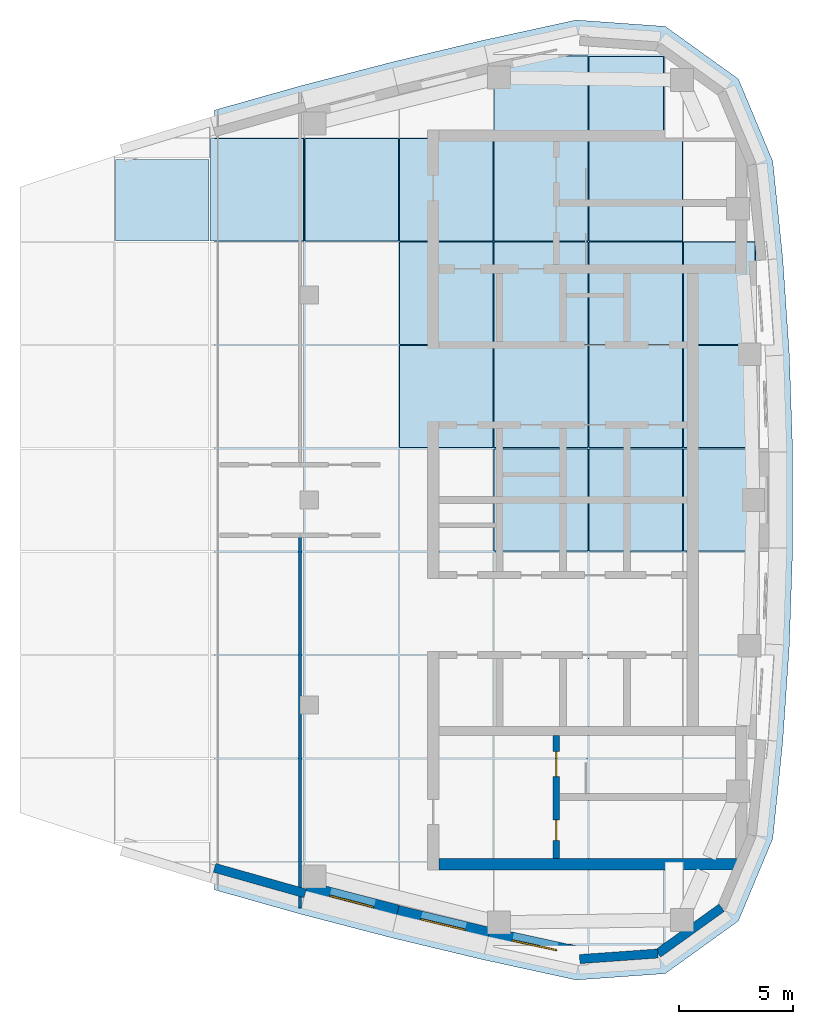
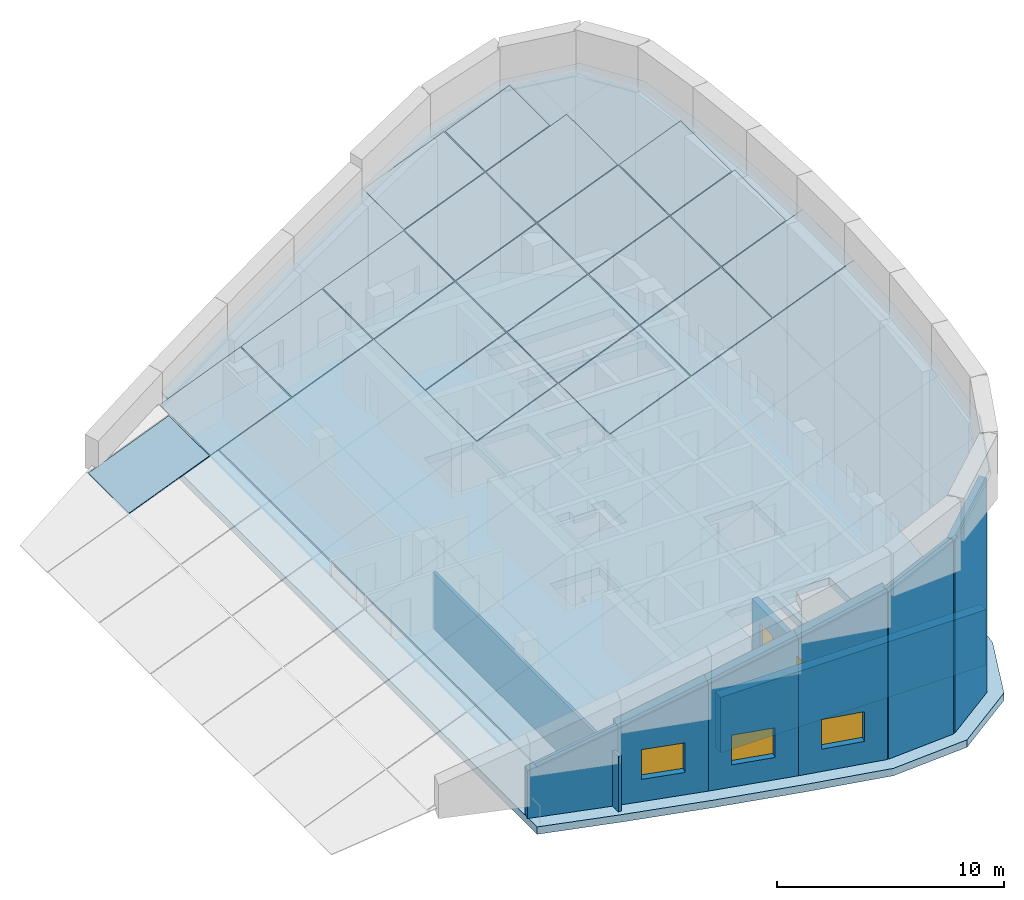
# One storey, part 2 of 6: 19 plates, 9 walls, 3 windows, 2 doors, 2 slabs, 9 openings, 7 elements without a shape of their own.
"""IFC4 building model written with IfcOpenShell, lengths in metres."""

from ifc_helpers import new_model, si_unit, direction, frame, frame_2d, origin, place, context, subcontext, project, spatial, polyline, rectangle, outline, extrude, material, layer, layer_set, type_object, element, fill, aggregate, save


model = new_model("IFC4")

# Units and contexts
model_context = context("Model", 3, precision=1e-05, world=origin(), true_north=direction((0.0, 1.0)))
body_context = subcontext(model_context, "Body", "Model", "MODEL_VIEW")
ifc_project = project(units=[si_unit("LENGTHUNIT", "METRE"), si_unit("AREAUNIT", "SQUARE_METRE"), si_unit("VOLUMEUNIT", "CUBIC_METRE"), si_unit("PLANEANGLEUNIT", "RADIAN"), si_unit("MASSUNIT", "GRAM", prefix="KILO")], contexts=[model_context])

# Site, building, storey
site_placement = place(None, origin())
site = spatial("IfcSite", under=ifc_project, at=site_placement, CompositionType="ELEMENT")
building_placement = place(site_placement, origin())
building = spatial("IfcBuilding", under=site, at=building_placement, Name="Ostrand Prow Hotel Tower", CompositionType="ELEMENT")
storey_placement = place(building_placement, frame((0.0, 0.0, 337.39990234375)))
storey = spatial("IfcBuildingStorey", under=building, at=storey_placement, Name="C7", CompositionType="ELEMENT", Elevation=337.39990234375)

# Curtain wall, plate
ifc_material_1 = material(Name="Insulated glass in bronze anodised frame", Category="glass")
ifc_layer_1 = layer(ifc_material_1, 0.0400390625)
ifc_layer_set_1 = layer_set([ifc_layer_1], Name="Insulated glass in bronze anodised frame")
curtain_wall_type = type_object("IfcCurtainWallType", Name="Crown slanted glazing system", PredefinedType="NOTDEFINED", material=ifc_layer_set_1)
curtain_wall_1_placement = place(storey_placement, origin())
curtain_wall_1 = element("IfcCurtainWall", 1, at=curtain_wall_1_placement, inside=storey, type_object=curtain_wall_type, Name="CW5 run 10", PredefinedType="NOTDEFINED")
ifc_material_2 = material(Name="Ceramic-fritted glass", Category="glass")
ifc_layer_2 = layer(ifc_material_2, 0.0400390625)
ifc_layer_set_2 = layer_set([ifc_layer_2], Name="Ceramic-fritted glass")
plate_type_1 = type_object("IfcPlateType", Name="Crown glazing panel 40 mm", PredefinedType="CURTAIN_PANEL", material=ifc_layer_set_2)
plate_1_placement = place(storey_placement, frame((44.80517578125, 11.37841796875, 4.50146484375), z_axis=(-0.374597809374, 0.0, 0.927187403502), x_axis=(0.927187403502, 0.0, 0.374597809374)))
plate_1 = element("IfcPlate", 2, at=plate_1_placement, type_object=plate_type_1, Name="CW5 panel 10.8", PredefinedType="CURTAIN_PANEL", context=body_context, shape_type="SweptSolid", body=[
    extrude(outline(polyline([(0.0, 0.0), (4.4331399962686415, 0.0), (4.4331399962686415, 4.491210937500001), (0.0, 4.491210937500001), (0.0, 0.0)])), origin(), (0.0, 0.0, -1.0), 0.0400390625),
])
aggregate(curtain_wall_1, [plate_1])

# Curtain wall, plates
curtain_wall_2_placement = place(storey_placement, origin())
curtain_wall_2 = element("IfcCurtainWall", 3, at=curtain_wall_2_placement, inside=storey, type_object=curtain_wall_type, Name="CW5 run 11", PredefinedType="NOTDEFINED")
plate_2_placement = place(storey_placement, frame((48.965576171875, 6.8369140625, 6.18212890625), z_axis=(-0.374597809374, 0.0, 0.927187403502), x_axis=(0.927187403502, 0.0, 0.374597809374)))
plate_2 = element("IfcPlate", 4, at=plate_2_placement, type_object=plate_type_1, Name="CW5 panel 11.7", PredefinedType="CURTAIN_PANEL", context=body_context, shape_type="SweptSolid", body=[
    extrude(outline(polyline([(0.0, 0.0), (4.4331399962686415, 0.0), (4.4331399962686415, 4.491455078125001), (0.0, 4.491455078125001), (0.0, 0.0)])), origin(), (0.0, 0.0, -1.0), 0.0400390625),
])
plate_3_placement = place(storey_placement, frame((48.965576171875, 11.37841796875, 6.18212890625), z_axis=(-0.374597809374, 0.0, 0.927187403502), x_axis=(0.927187403502, 0.0, 0.374597809374)))
plate_3 = element("IfcPlate", 5, at=plate_3_placement, type_object=plate_type_1, Name="CW5 panel 11.8", PredefinedType="CURTAIN_PANEL", context=body_context, shape_type="SweptSolid", body=[
    extrude(outline(polyline([(0.0, 0.0), (4.4331399962686415, 0.0), (4.4331399962686415, 4.491210937500001), (0.0, 4.491210937500001), (0.0, 0.0)])), origin(), (0.0, 0.0, -1.0), 0.0400390625),
])

curtain_wall_3_placement = place(storey_placement, origin())
curtain_wall_3 = element("IfcCurtainWall", 6, at=curtain_wall_3_placement, inside=storey, type_object=curtain_wall_type, Name="CW5 run 12", PredefinedType="NOTDEFINED")
plate_4_placement = place(storey_placement, frame((53.1259765625, -2.24560546875, 7.863037109375), z_axis=(-0.37455046405, 0.0, 0.927206530326), x_axis=(0.927206530326, 0.0, 0.37455046405)))
plate_4 = element("IfcPlate", 7, at=plate_4_placement, type_object=plate_type_1, Name="CW5 panel 12.5", PredefinedType="CURTAIN_PANEL", context=body_context, shape_type="SweptSolid", body=[
    extrude(outline(polyline([(0.0, 0.0), (4.433048547504735, 0.0), (4.433048547504735, 4.4912109375), (0.0, 4.4912109375), (0.0, 0.0)])), origin(), (0.0, 0.0, -1.0), 0.0400390625),
])
plate_5_placement = place(storey_placement, frame((53.1259765625, 11.37841796875, 7.863037109375), z_axis=(-0.37455046405, 0.0, 0.927206530326), x_axis=(0.927206530326, 0.0, 0.37455046405)))
plate_5 = element("IfcPlate", 8, at=plate_5_placement, type_object=plate_type_1, Name="CW5 panel 12.8", PredefinedType="CURTAIN_PANEL", context=body_context, shape_type="SweptSolid", body=[
    extrude(outline(polyline([(0.0, 0.0), (4.433048547504735, 0.0), (4.433048547504735, 4.4912109375), (0.0, 4.4912109375), (0.0, 0.0)])), origin(), (0.0, 0.0, -1.0), 0.0400390625),
])
plate_6_placement = place(storey_placement, frame((57.236328125, 15.919677734375, 9.5234375), z_axis=(-0.37455046405, 0.0, 0.927206530326), x_axis=(0.0, 1.0, 0.0)))
plate_6 = element("IfcPlate", 9, at=plate_6_placement, type_object=plate_type_1, Name="CW5 panel 12.9", PredefinedType="CURTAIN_PANEL", context=body_context, shape_type="SweptSolid", body=[
    extrude(outline(polyline([(0.0, 0.0), (3.5830078125, 0.0), (3.5830078125, 4.433048547504735), (0.0, 4.433048547504735), (0.0, 0.0)])), origin(), (0.0, 0.0, -1.0), 0.0400390625),
])

curtain_wall_4_placement = place(storey_placement, origin())
curtain_wall_4 = element("IfcCurtainWall", 10, at=curtain_wall_4_placement, inside=storey, type_object=curtain_wall_type, Name="CW5 run 13", PredefinedType="NOTDEFINED")
plate_7_placement = place(storey_placement, frame((57.286376953125, -2.24560546875, 9.543701171875), z_axis=(-0.37461693791, 0.0, 0.927179675053), x_axis=(0.927179675053, 0.0, 0.37461693791)))
plate_7 = element("IfcPlate", 11, at=plate_7_placement, type_object=plate_type_1, Name="CW5 panel 13.5", PredefinedType="CURTAIN_PANEL", context=body_context, shape_type="SweptSolid", body=[
    extrude(outline(polyline([(0.0, 0.0), (4.432913633099848, 0.0), (4.432913633099848, 4.4912109375), (0.0, 4.4912109375), (0.0, 0.0)])), origin(), (0.0, 0.0, -1.0), 0.0400390625),
])
plate_8_placement = place(storey_placement, frame((57.286376953125, 2.295654296875, 9.543701171875), z_axis=(-0.37461693791, 0.0, 0.927179675053), x_axis=(0.927179675053, 0.0, 0.37461693791)))
plate_8 = element("IfcPlate", 12, at=plate_8_placement, type_object=plate_type_1, Name="CW5 panel 13.6", PredefinedType="CURTAIN_PANEL", context=body_context, shape_type="SweptSolid", body=[
    extrude(outline(polyline([(0.0, 0.0), (4.432913633099848, 0.0), (4.432913633099848, 4.491455078125001), (0.0, 4.491455078125001), (0.0, 0.0)])), origin(), (0.0, 0.0, -1.0), 0.0400390625),
])
plate_9_placement = place(storey_placement, frame((60.564453125, 15.919677734375, 10.8681640625), z_axis=(-0.374614896272, 0.0, 0.927180499952), x_axis=(0.0, 1.0, 0.0)))
plate_9 = element("IfcPlate", 13, at=plate_9_placement, type_object=plate_type_1, Name="CW5 panel 13.9", PredefinedType="CURTAIN_PANEL", context=body_context, shape_type="SweptSolid", body=[
    extrude(outline(polyline([(0.0, 0.0), (3.55810546875, 0.0), (3.55810546875, 3.5355318323071834), (0.0, 3.5355318323071834), (0.0, 0.0)])), origin(), (0.0, 0.0, -1.0), 0.0400390625),
])

curtain_wall_5_placement = place(storey_placement, origin())
curtain_wall_5 = element("IfcCurtainWall", 14, at=curtain_wall_5_placement, inside=storey, type_object=curtain_wall_type, Name="CW5 run 14", PredefinedType="NOTDEFINED")
plate_10_placement = place(storey_placement, frame((65.552490234375, -2.24560546875, 12.88330078125), z_axis=(-0.374550842386, 0.0, 0.927206377495), x_axis=(0.033015602396, 0.999365848007, 0.013336860045)))
plate_10 = element("IfcPlate", 15, at=plate_10_placement, type_object=plate_type_1, Name="CW5 panel 14.5", PredefinedType="CURTAIN_PANEL", context=body_context, shape_type="SweptSolid", body=[
    extrude(outline(polyline([(0.0, 0.0), (0.1324081856648408, -1.0842021724855044e-19), (4.3562904026315445, 0.1504977860258631), (4.488362827132596, 0.15992128418044005), (4.3306804471908205, 4.585446856035653), (-0.1576823799417751, 4.4255255718552124), (0.0, 0.0)])), origin(), (0.0, 0.0, -1.0), 0.0400390625),
])
plate_11_placement = place(storey_placement, frame((64.720703125, 2.295654296875, 12.547119140625), z_axis=(-0.374523635734, 0.0, 0.927217367329), x_axis=(0.0, 1.0, 0.0)))
plate_11 = element("IfcPlate", 16, at=plate_11_placement, type_object=plate_type_1, Name="CW5 panel 14.6", PredefinedType="CURTAIN_PANEL", context=body_context, shape_type="SweptSolid", body=[
    extrude(outline(polyline([(0.0, 0.0), (4.491455078125, 0.0), (4.491455078125, 3.531178380864444), (0.0, 3.531178380864444), (0.0, 0.0)])), origin(), (0.0, 0.0, -1.0), 0.0400390625),
])
plate_12_placement = place(storey_placement, frame((64.58349609375, 6.8369140625, 12.49169921875), z_axis=(-0.374523899421, 0.0, 0.92721726082), x_axis=(0.0, 1.0, 0.0)))
plate_12 = element("IfcPlate", 17, at=plate_12_placement, type_object=plate_type_1, Name="CW5 panel 14.7", PredefinedType="CURTAIN_PANEL", context=body_context, shape_type="SweptSolid", body=[
    extrude(outline(polyline([(0.0, 0.0), (4.491455078125, 0.0), (4.491455078125, 3.3832015679372036), (0.0, 3.3832015679372036), (0.0, 0.0)])), origin(), (0.0, 0.0, -1.0), 0.0400390625),
])
aggregate(curtain_wall_5, [plate_10, plate_11, plate_12])

# Slab
ifc_material_3 = material(Name="Precast concrete C40/50", Category="concrete")
ifc_layer_3 = layer(ifc_material_3, 0.300048828125)
ifc_layer_set_3 = layer_set([ifc_layer_3], Name="Precast concrete C40/50")
slab_type_1 = type_object("IfcSlabType", Name="Crown roof deck 300 mm", PredefinedType="ROOF", material=ifc_layer_set_3)
slab_1_placement = place(storey_placement, frame((44.750244140625, 17.547119140625, 4.439208984375), z_axis=(-0.374581958714, 0.0, 0.927193807252), x_axis=(-0.89698086858, -0.253197360168, -0.362376072892)))
element("IfcSlab", 18, at=slab_1_placement, inside=storey, type_object=slab_type_1, Name="Crown roof deck C7.1", PredefinedType="ROOF", context=body_context, shape_type="SweptSolid", body=[
    extrude(outline(polyline([(0.0, 0.0), (4.0815878370125045, -5.551115123125783e-17), (12.444024087870497, 31.95113605384009), (8.885768489915975, 33.95068009458381), (4.97195858983749, 36.053881152910506), (1.0167843473377798, 38.084628207928404), (-2.9782100494037804, 40.04201237777957), (-6.786882162972141, 40.774110255757655), (-10.366066725820719, 39.54054479612717), (-12.652642221981782, 36.70760732642532), (-14.168313300377804, 32.757580080228045), (-15.536945866809308, 28.75645086390884), (-16.75745389252377, 24.7087303516455), (-17.827731991631957, 20.61941951755186), (-18.746667480422186, 16.492769695520362), (-19.513645851266276, 12.334172060952021), (-20.12740413396987, 8.14809097788641), (-19.52184646310325, 4.558207676978214), (-17.005893002522246, 1.729387417167172), (-13.326910357125826, 0.5017729555037127), (-8.885235265908364, 0.25106315825048225), (-4.442334663124285, 0.08381745941826124), (0.0, 0.0)])), origin(), (0.0, 0.0, -1.0), 0.300048828125),
])

# Curtain wall, plate
curtain_wall_6_placement = place(storey_placement, origin())
curtain_wall_6 = element("IfcCurtainWall", 19, at=curtain_wall_6_placement, inside=storey, type_object=curtain_wall_type, Name="CW5 run 8", PredefinedType="NOTDEFINED")
ifc_material_4 = material(Name="Ceramic-fritted glass", Category="glass")
ifc_layer_4 = layer(ifc_material_4, 0.031982421875)
ifc_layer_set_4 = layer_set([ifc_layer_4], Name="Ceramic-fritted glass")
plate_type_2 = type_object("IfcPlateType", Name="Dot-fritted ceramic glass unit 32 mm", PredefinedType="CURTAIN_PANEL", material=ifc_layer_set_4)
plate_13_placement = place(storey_placement, frame((40.594970703125, 11.37841796875, 2.80029296875), z_axis=(-0.37455046405, 0.0, 0.927206530326), x_axis=(0.0, 1.0, 0.0)))
plate_13 = element("IfcPlate", 20, at=plate_13_placement, type_object=plate_type_2, Name="CW5 panel 8.8", PredefinedType="CURTAIN_PANEL", context=body_context, shape_type="SweptSolid", body=[
    extrude(outline(polyline([(0.0, 0.0), (3.5830078125, 0.0), (3.5830078125, 4.433048547504735), (0.0, 4.433048547504735), (0.0, 0.0)])), origin(), (0.0, 0.0, -1.0), 0.0400390625),
])
aggregate(curtain_wall_6, [plate_13])

curtain_wall_7_placement = place(storey_placement, origin())
curtain_wall_7 = element("IfcCurtainWall", 21, at=curtain_wall_7_placement, inside=storey, type_object=curtain_wall_type, Name="CW5 run 9", PredefinedType="NOTDEFINED")
plate_14_placement = place(storey_placement, frame((40.64501953125, 11.37841796875, 2.820556640625), z_axis=(-0.37461693791, 0.0, 0.927179675053), x_axis=(0.927179675053, 0.0, 0.37461693791)))
plate_14 = element("IfcPlate", 22, at=plate_14_placement, type_object=plate_type_2, Name="CW5 panel 9.8", PredefinedType="CURTAIN_PANEL", context=body_context, shape_type="SweptSolid", body=[
    extrude(outline(polyline([(0.0, 0.0), (4.432913633099848, 0.0), (4.432913633099848, 4.4912109375), (0.0, 4.4912109375), (0.0, 0.0)])), origin(), (0.0, 0.0, -1.0), 0.0400390625),
])
aggregate(curtain_wall_7, [plate_14])

# Plate
plate_15_placement = place(storey_placement, frame((48.965576171875, 2.295654296875, 6.18212890625), z_axis=(-0.374597809374, 0.0, 0.927187403502), x_axis=(0.927187403502, 0.0, 0.374597809374)))
plate_15 = element("IfcPlate", 23, at=plate_15_placement, type_object=plate_type_2, Name="CW5 panel 11.6", PredefinedType="CURTAIN_PANEL", context=body_context, shape_type="SweptSolid", body=[
    extrude(outline(polyline([(0.0, 0.0), (4.4331399962686415, 0.0), (4.4331399962686415, 4.491455078125001), (0.0, 4.491455078125001), (0.0, 0.0)])), origin(), (0.0, 0.0, -1.0), 0.0400390625),
])

aggregate(curtain_wall_2, [plate_15, plate_2, plate_3])

plate_16_placement = place(storey_placement, frame((53.1259765625, 2.295654296875, 7.863037109375), z_axis=(-0.37455046405, 0.0, 0.927206530326), x_axis=(0.927206530326, 0.0, 0.37455046405)))
plate_16 = element("IfcPlate", 24, at=plate_16_placement, type_object=plate_type_2, Name="CW5 panel 12.6", PredefinedType="CURTAIN_PANEL", context=body_context, shape_type="SweptSolid", body=[
    extrude(outline(polyline([(0.0, 0.0), (4.433048547504735, 0.0), (4.433048547504735, 4.491455078125), (0.0, 4.491455078125), (0.0, 0.0)])), origin(), (0.0, 0.0, -1.0), 0.0400390625),
])

plate_17_placement = place(storey_placement, frame((53.1259765625, 6.8369140625, 7.863037109375), z_axis=(-0.37455046405, 0.0, 0.927206530326), x_axis=(0.927206530326, 0.0, 0.37455046405)))
plate_17 = element("IfcPlate", 25, at=plate_17_placement, type_object=plate_type_2, Name="CW5 panel 12.7", PredefinedType="CURTAIN_PANEL", context=body_context, shape_type="SweptSolid", body=[
    extrude(outline(polyline([(0.0, 0.0), (4.433048547504735, 0.0), (4.433048547504735, 4.491455078125), (0.0, 4.491455078125), (0.0, 0.0)])), origin(), (0.0, 0.0, -1.0), 0.0400390625),
])

aggregate(curtain_wall_3, [plate_4, plate_16, plate_17, plate_5, plate_6])

plate_18_placement = place(storey_placement, frame((57.286376953125, 6.8369140625, 9.543701171875), z_axis=(-0.37461693791, 0.0, 0.927179675053), x_axis=(0.927179675053, 0.0, 0.37461693791)))
plate_18 = element("IfcPlate", 26, at=plate_18_placement, type_object=plate_type_2, Name="CW5 panel 13.7", PredefinedType="CURTAIN_PANEL", context=body_context, shape_type="SweptSolid", body=[
    extrude(outline(polyline([(0.0, 0.0), (4.432913633099848, 0.0), (4.432913633099848, 4.491455078125001), (0.0, 4.491455078125001), (0.0, 0.0)])), origin(), (0.0, 0.0, -1.0), 0.0400390625),
])

plate_19_placement = place(storey_placement, frame((57.286376953125, 11.37841796875, 9.543701171875), z_axis=(-0.37461693791, 0.0, 0.927179675053), x_axis=(0.927179675053, 0.0, 0.37461693791)))
plate_19 = element("IfcPlate", 27, at=plate_19_placement, type_object=plate_type_2, Name="CW5 panel 13.8", PredefinedType="CURTAIN_PANEL", context=body_context, shape_type="SweptSolid", body=[
    extrude(outline(polyline([(0.0, 0.0), (4.432913633099848, 0.0), (4.432913633099848, 4.4912109375), (0.0, 4.4912109375), (0.0, 0.0)])), origin(), (0.0, 0.0, -1.0), 0.0400390625),
])

aggregate(curtain_wall_4, [plate_7, plate_8, plate_18, plate_19, plate_9])

# Slab, openings
ifc_material_5 = material(Name="Concrete C40/50", Category="concrete")
ifc_layer_5 = layer(ifc_material_5, 0.39990234375)
ifc_layer_set_5 = layer_set([ifc_layer_5], Name="Concrete C40/50")
slab_type_2 = type_object("IfcSlabType", Name="PT flat plate 400 C40/50", PredefinedType="FLOOR", material=ifc_layer_set_5)
slab_2_placement = place(storey_placement, frame((0.0, 0.0, -0.39990234375)))
slab_2 = element("IfcSlab", 28, at=slab_2_placement, inside=storey, type_object=slab_type_2, Name="Floor slab C7-1", PredefinedType="FLOOR", context=body_context, shape_type="SweptSolid", body=[
    extrude(outline(polyline([(44.580078125, 18.17431640625), (48.596923828125, 19.221435546875), (52.634033203125, 20.187744140625), (56.72265625, 21.07958984375), (60.634765625, 20.80029296875), (63.84765625, 18.49072265625), (65.35888671875, 14.87060546875), (65.796875, 10.611083984375), (66.0869140625, 6.37158203125), (66.23193359375, 2.124755859375), (66.23193359375, -2.124755859375), (66.0869140625, -6.37158203125), (65.796875, -10.611083984375), (65.35888671875, -14.87060546875), (63.84765625, -18.49072265625), (60.634765625, -20.80029296875), (56.72265625, -21.07958984375), (52.634033203125, -20.187744140625), (48.596923828125, -19.221435546875), (44.580078125, -18.17431640625), (40.839111328125, -17.118408203125), (40.839111328125, 17.118408203125), (44.580078125, 18.17431640625)]), holes=[polyline([(50.699951171875, 6.949951171875), (53.199951171875, 6.949951171875), (53.199951171875, 9.949951171875), (50.699951171875, 9.949951171875), (50.699951171875, 6.949951171875)]), polyline([(53.5, 6.949951171875), (56.0, 6.949951171875), (56.0, 9.949951171875), (53.5, 9.949951171875), (53.5, 6.949951171875)]), polyline([(59.10009765625, -3.14990234375), (61.60009765625, -3.14990234375), (61.60009765625, -0.14990234375), (59.10009765625, -0.14990234375), (59.10009765625, -3.14990234375)]), polyline([(56.300048828125, -9.949951171875), (58.800048828125, -9.949951171875), (58.800048828125, -6.949951171875), (56.300048828125, -6.949951171875), (56.300048828125, -9.949951171875)]), polyline([(59.10009765625, -9.949951171875), (61.60009765625, -9.949951171875), (61.60009765625, -6.949951171875), (59.10009765625, -6.949951171875), (59.10009765625, -9.949951171875)]), polyline([(57.200927734375, 10.35107421875), (57.200927734375, 12.89892578125), (63.718994140625, 12.89892578125), (63.718994140625, 10.35107421875), (57.200927734375, 10.35107421875)]), polyline([(57.200927734375, 13.200927734375), (57.200927734375, 15.7490234375), (63.718994140625, 15.7490234375), (63.718994140625, 13.200927734375), (57.200927734375, 13.200927734375)]), polyline([(57.200927734375, -12.89892578125), (57.200927734375, -10.35107421875), (63.718994140625, -10.35107421875), (63.718994140625, -12.89892578125), (57.200927734375, -12.89892578125)]), polyline([(58.800048828125, 6.949951171875), (58.10009765625, 6.949951171875), (58.10009765625, 7.35009765625), (57.0, 7.35009765625), (57.0, 6.949951171875), (56.300048828125, 6.949951171875), (56.300048828125, 8.889892578125), (58.800048828125, 8.889892578125), (58.800048828125, 6.949951171875)]), polyline([(55.300048828125, 2.75), (55.300048828125, 3.14990234375), (56.0, 3.14990234375), (56.0, 1.2099609375), (53.5, 1.2099609375), (53.5, 3.14990234375), (54.199951171875, 3.14990234375), (54.199951171875, 2.75), (55.300048828125, 2.75)]), polyline([(52.5, -2.75), (51.39990234375, -2.75), (51.39990234375, -3.14990234375), (50.699951171875, -3.14990234375), (50.699951171875, -1.2099609375), (53.199951171875, -1.2099609375), (53.199951171875, -3.14990234375), (52.5, -3.14990234375), (52.5, -2.75)]), polyline([(56.39990234375, -15.050048828125), (56.39990234375, -13.949951171875), (56.0, -13.949951171875), (56.0, -13.199951171875), (63.719970703125, -13.199951171875), (63.719970703125, -15.75), (56.0, -15.75), (56.0, -15.050048828125), (56.39990234375, -15.050048828125)])]), origin(), (0.0, 0.0, 1.0), 0.39990234375),
])
opening_1_placement = place(slab_2_placement, origin())
element("IfcOpeningElement", 29, at=opening_1_placement, cuts=slab_2, Name="Shaft opening 1", PredefinedType="OPENING", context=body_context, shape_type="SweptSolid", body=[
    extrude(outline(polyline([(58.800048828125, 6.949951171875), (58.10009765625, 6.949951171875), (58.10009765625, 7.35009765625), (57.0, 7.35009765625), (57.0, 6.949951171875), (56.300048828125, 6.949951171875), (56.300048828125, 8.889892578125), (58.800048828125, 8.889892578125), (58.800048828125, 6.949951171875)])), origin(), (0.0, 0.0, 1.0), 0.39990234375),
])
opening_2_placement = place(slab_2_placement, origin())
element("IfcOpeningElement", 30, at=opening_2_placement, cuts=slab_2, Name="Shaft opening 2", PredefinedType="OPENING", context=body_context, shape_type="SweptSolid", body=[
    extrude(outline(polyline([(55.300048828125, 2.75), (55.300048828125, 3.14990234375), (56.0, 3.14990234375), (56.0, 1.2099609375), (53.5, 1.2099609375), (53.5, 3.14990234375), (54.199951171875, 3.14990234375), (54.199951171875, 2.75), (55.300048828125, 2.75)])), origin(), (0.0, 0.0, 1.0), 0.39990234375),
])
opening_3_placement = place(slab_2_placement, origin())
element("IfcOpeningElement", 31, at=opening_3_placement, cuts=slab_2, Name="Shaft opening 3", PredefinedType="OPENING", context=body_context, shape_type="SweptSolid", body=[
    extrude(outline(polyline([(52.5, -2.75), (51.39990234375, -2.75), (51.39990234375, -3.14990234375), (50.699951171875, -3.14990234375), (50.699951171875, -1.2099609375), (53.199951171875, -1.2099609375), (53.199951171875, -3.14990234375), (52.5, -3.14990234375), (52.5, -2.75)])), origin(), (0.0, 0.0, 1.0), 0.39990234375),
])
opening_4_placement = place(slab_2_placement, origin())
element("IfcOpeningElement", 32, at=opening_4_placement, cuts=slab_2, Name="Shaft opening 4", PredefinedType="OPENING", context=body_context, shape_type="SweptSolid", body=[
    extrude(outline(polyline([(56.39990234375, -15.050048828125), (56.39990234375, -13.949951171875), (56.0, -13.949951171875), (56.0, -13.199951171875), (63.719970703125, -13.199951171875), (63.719970703125, -15.75), (56.0, -15.75), (56.0, -15.050048828125), (56.39990234375, -15.050048828125)])), origin(), (0.0, 0.0, 1.0), 0.39990234375),
])

# Wall, openings, doors
ifc_material_6 = material(Name="Concrete C40/50", Category="concrete")
ifc_layer_6 = layer(ifc_material_6, 0.300048828125)
ifc_layer_set_6 = layer_set([ifc_layer_6], Name="Concrete C40/50")
wall_type_1 = type_object("IfcWallType", Name="Core wall 300 C40/50", PredefinedType="SHEAR", material=ifc_layer_set_6)
wall_1_placement = place(storey_placement, frame((55.85009765625, -15.75, 0.0), z_axis=(0.0, 0.0, 1.0), x_axis=(0.0, 1.0, 0.0)))
wall_1 = element("IfcWall", 33, at=wall_1_placement, inside=storey, type_object=wall_type_1, Name="Core wall PW-VS", PredefinedType="SHEAR", context=body_context, shape_type="SweptSolid", body=[
    extrude(rectangle(XDim=5.39990234375, YDim=0.300048828125, at=frame_2d((2.699951171875, 0.0))), origin(), (0.0, 0.0, 1.0), 3.0),
])
opening_5_placement = place(wall_1_placement, frame((3.60009765625, 0.0, 0.0)))
opening_5 = element("IfcOpeningElement", 34, at=opening_5_placement, cuts=wall_1, Name="Opening FD1", PredefinedType="OPENING", context=body_context, shape_type="SweptSolid", body=[
    extrude(rectangle(XDim=1.10009765625, YDim=2.10009765625, at=frame_2d((0.550048828125, 1.050048828125))), frame((0.0, 0.159912109375, 0.0), z_axis=(0.0, -1.0, 0.0), x_axis=(1.0, 0.0, 0.0)), (0.0, 0.0, 1.0), 0.320068359375),
])
opening_6_placement = place(wall_1_placement, frame((0.800048828125, 0.0, 0.0)))
opening_6 = element("IfcOpeningElement", 35, at=opening_6_placement, cuts=wall_1, Name="Opening FD2", PredefinedType="OPENING", context=body_context, shape_type="SweptSolid", body=[
    extrude(rectangle(XDim=0.89990234375, YDim=2.10009765625, at=frame_2d((0.449951171875, 1.050048828125))), frame((0.0, 0.159912109375, 0.0), z_axis=(0.0, -1.0, 0.0), x_axis=(1.0, 0.0, 0.0)), (0.0, 0.0, 1.0), 0.320068359375),
])
ifc_material_7 = material(Name="Steel fire door", Category="steel")
door_type_1 = type_object("IfcDoorType", Name="Fire door 1100 EI120", OperationType="SINGLE_SWING_RIGHT", PredefinedType="DOOR", material=ifc_material_7)
door_1_placement = place(opening_5_placement, origin())
door_1 = element("IfcDoor", 36, at=door_1_placement, inside=storey, type_object=door_type_1, Name="FIRE DOOR", OperationType="SINGLE_SWING_RIGHT", OverallHeight=2.10009765625, OverallWidth=1.10009765625, PredefinedType="DOOR", context=body_context, shape_type="SweptSolid", body=[
    extrude(rectangle(XDim=1.10009765625, YDim=2.10009765625, at=frame_2d((0.550048828125, 1.050048828125))), frame((0.0, 0.02490234375, 0.0), z_axis=(0.0, -1.0, 0.0), x_axis=(1.0, 0.0, 0.0)), (0.0, 0.0, 1.0), 0.050048828125),
])
fill(opening_5, door_1)
ifc_material_8 = material(Name="Steel fire door", Category="steel")
door_type_2 = type_object("IfcDoorType", Name="Fire door 900 EI120", OperationType="SINGLE_SWING_LEFT", PredefinedType="DOOR", material=ifc_material_8)
door_2_placement = place(opening_6_placement, origin())
door_2 = element("IfcDoor", 37, at=door_2_placement, inside=storey, type_object=door_type_2, Name="FIRE DOOR", OperationType="SINGLE_SWING_LEFT", OverallHeight=2.10009765625, OverallWidth=0.89990234375, PredefinedType="DOOR", context=body_context, shape_type="SweptSolid", body=[
    extrude(rectangle(XDim=0.89990234375, YDim=2.10009765625, at=frame_2d((0.449951171875, 1.050048828125))), frame((0.0, 0.02490234375, 0.0), z_axis=(0.0, -1.0, 0.0), x_axis=(1.0, 0.0, 0.0)), (0.0, 0.0, 1.0), 0.050048828125),
])
fill(opening_6, door_2)

# Walls
ifc_material_9 = material(Name="Concrete C40/50", Category="concrete")
ifc_layer_7 = layer(ifc_material_9, 0.5)
ifc_layer_set_7 = layer_set([ifc_layer_7], Name="Concrete C40/50")
wall_type_2 = type_object("IfcWallType", Name="Core wall 500 C40/50", PredefinedType="SHEAR", material=ifc_layer_set_7)
wall_2_placement = place(storey_placement, frame((50.699951171875, -16.0, 0.0), z_axis=(0.0, 0.0, 1.0), x_axis=(1.0, 0.0, 0.0)))
element("IfcWall", 38, at=wall_2_placement, inside=storey, type_object=wall_type_2, Name="Core wall CW-S", PredefinedType="SHEAR", context=body_context, shape_type="SweptSolid", body=[
    extrude(rectangle(XDim=13.52001953125, YDim=0.5, at=frame_2d((6.760009765625, 0.0))), origin(), (0.0, 0.0, 1.0), 3.0),
])
ifc_material_10 = material(Name="Plasterboard partition")
ifc_layer_8 = layer(ifc_material_10, 0.14990234375)
ifc_layer_set_8 = layer_set([ifc_layer_8], Name="Plasterboard partition")
wall_type_3 = type_object("IfcWallType", Name="Partition 150 room partition", PredefinedType="PARTITIONING", material=ifc_layer_set_8)
wall_3_placement = place(storey_placement, frame((44.594482421875, -17.918701171875, 0.0), z_axis=(0.0, 0.0, 1.0), x_axis=(0.0, 1.0, 0.0)))
element("IfcWall", 39, at=wall_3_placement, inside=storey, type_object=wall_type_3, Name="ROOM PARTITION", PredefinedType="PARTITIONING", context=body_context, shape_type="SweptSolid", body=[
    extrude(rectangle(XDim=16.3759765625, YDim=0.14990234375, at=frame_2d((8.18798828125, 0.0))), origin(), (0.0, 0.0, 1.0), 3.0),
])
ifc_material_11 = material(Name="Precast concrete C40/50", Category="concrete")
ifc_layer_9 = layer(ifc_material_11, 0.39990234375)
ifc_layer_set_9 = layer_set([ifc_layer_9], Name="Precast concrete C40/50")
wall_type_4 = type_object("IfcWallType", Name="Stone-faced precast wall 400 mm", PredefinedType="NOTDEFINED", material=ifc_layer_set_9)
wall_4_placement = place(storey_placement, frame((40.846435546875, -16.154296875, 0.0), z_axis=(0.0, 0.0, 1.0), x_axis=(0.962397415317, -0.27164538463, 0.0)))
element("IfcWall", 40, at=wall_4_placement, inside=storey, type_object=wall_type_4, Name="Crown side wall C7 12", PredefinedType="NOTDEFINED", context=body_context, shape_type="SweptSolid", body=[
    extrude(outline(polyline([(0.0, 0.0), (4.13232421875, 0.0), (4.132568359375, 4.168701171875), (0.0, 2.56201171875), (0.0, 0.0)])), frame((0.0, 0.199951171875, 0.0), z_axis=(0.0, -1.0, 0.0), x_axis=(1.0, 0.0, 0.0)), (0.0, 0.0, 1.0), 0.39990234375),
])

# Wall, opening, window
wall_5_placement = place(storey_placement, frame((44.8671875, -17.110107421875, 0.0), z_axis=(0.0, 0.0, 1.0), x_axis=(0.967657413064, -0.252267974466, 0.0)))
wall_5 = element("IfcWall", 41, at=wall_5_placement, inside=storey, type_object=wall_type_4, Name="Crown side wall C7 13", PredefinedType="NOTDEFINED", context=body_context, shape_type="SweptSolid", body=[
    extrude(outline(polyline([(0.0, 0.0), (4.13232421875, 0.0), (4.132568359375, 5.784423828125), (0.0, 4.168701171875), (0.0, 0.0)])), frame((0.0, 0.372314453125, 0.0), z_axis=(0.0, -1.0, 0.0), x_axis=(1.0, 0.0, 0.0)), (0.0, 0.0, 1.0), 0.74462890625),
])
opening_7_placement = place(wall_5_placement, frame((1.06640625, 0.0, 1.199951171875)))
opening_7 = element("IfcOpeningElement", 42, at=opening_7_placement, cuts=wall_5, Name="Opening WV1", PredefinedType="OPENING", context=body_context, shape_type="SweptSolid", body=[
    extrude(rectangle(XDim=2.0, YDim=1.60009765625, at=frame_2d((1.0, 0.800048828125))), frame((0.0, 0.38232421875, 0.0), z_axis=(0.0, -1.0, 0.0), x_axis=(1.0, 0.0, 0.0)), (0.0, 0.0, 1.0), 0.7646484375),
])
ifc_material_12 = material(Name="Bronze anodised aluminium louvre", Category="aluminium")
window_type = type_object("IfcWindowType", Name="Louvre vent 2000x1600", PartitioningType="SINGLE_PANEL", PredefinedType="WINDOW", material=ifc_material_12)
window_1_placement = place(opening_7_placement, origin())
window_1 = element("IfcWindow", 43, at=window_1_placement, inside=storey, type_object=window_type, Name="Louvre vent 13.1", OverallHeight=1.60009765625, OverallWidth=2.0, PartitioningType="SINGLE_PANEL", PredefinedType="WINDOW", context=body_context, shape_type="SweptSolid", body=[
    extrude(rectangle(XDim=2.0, YDim=1.60009765625, at=frame_2d((1.0, 0.800048828125))), frame((0.0, 0.030029296875, 0.0), z_axis=(0.0, -1.0, 0.0), x_axis=(1.0, 0.0, 0.0)), (0.0, 0.0, 1.0), 0.06005859375),
])
fill(opening_7, window_1)

wall_6_placement = place(storey_placement, frame((48.85986328125, -18.163330078125, 0.0), z_axis=(0.0, 0.0, 1.0), x_axis=(0.972546345517, -0.232709273174, 0.0)))
wall_6 = element("IfcWall", 44, at=wall_6_placement, inside=storey, type_object=wall_type_4, Name="Crown side wall C7 14", PredefinedType="NOTDEFINED", context=body_context, shape_type="SweptSolid", body=[
    extrude(outline(polyline([(0.0, 0.0), (4.132568359375, 0.0), (4.132568359375, 7.408203125), (0.0, 5.784423828125), (0.0, 0.0)])), frame((0.0, 0.3603515625, 0.0), z_axis=(0.0, -1.0, 0.0), x_axis=(1.0, 0.0, 0.0)), (0.0, 0.0, 1.0), 0.720703125),
])
opening_8_placement = place(wall_6_placement, frame((1.06640625, 0.0, 1.199951171875)))
opening_8 = element("IfcOpeningElement", 45, at=opening_8_placement, cuts=wall_6, Name="Opening WV1", PredefinedType="OPENING", context=body_context, shape_type="SweptSolid", body=[
    extrude(rectangle(XDim=2.0, YDim=1.60009765625, at=frame_2d((1.0, 0.800048828125))), frame((0.0, 0.370361328125, 0.0), z_axis=(0.0, -1.0, 0.0), x_axis=(1.0, 0.0, 0.0)), (0.0, 0.0, 1.0), 0.74072265625),
])
window_2_placement = place(opening_8_placement, origin())
window_2 = element("IfcWindow", 46, at=window_2_placement, inside=storey, type_object=window_type, Name="Louvre vent 14.1", OverallHeight=1.60009765625, OverallWidth=2.0, PartitioningType="SINGLE_PANEL", PredefinedType="WINDOW", context=body_context, shape_type="SweptSolid", body=[
    extrude(rectangle(XDim=2.0, YDim=1.60009765625, at=frame_2d((1.0, 0.800048828125))), frame((0.0, 0.030029296875, 0.0), z_axis=(0.0, -1.0, 0.0), x_axis=(1.0, 0.0, 0.0)), (0.0, 0.0, 1.0), 0.06005859375),
])
fill(opening_8, window_2)

wall_7_placement = place(storey_placement, frame((52.876953125, -19.11865234375, 0.0), z_axis=(0.0, 0.0, 1.0), x_axis=(0.977019340581, -0.213150670022, 0.0)))
wall_7 = element("IfcWall", 47, at=wall_7_placement, inside=storey, type_object=wall_type_4, Name="Crown side wall C7 15", PredefinedType="NOTDEFINED", context=body_context, shape_type="SweptSolid", body=[
    extrude(outline(polyline([(0.0, 0.0), (4.132568359375, 0.0), (4.132568359375, 9.039306640625), (0.0, 7.408203125), (0.0, 0.0)])), frame((0.0, 0.3662109375, 0.0), z_axis=(0.0, -1.0, 0.0), x_axis=(1.0, 0.0, 0.0)), (0.0, 0.0, 1.0), 0.732666015625),
])
opening_9_placement = place(wall_7_placement, frame((1.06640625, 0.0, 1.199951171875)))
opening_9 = element("IfcOpeningElement", 48, at=opening_9_placement, cuts=wall_7, Name="Opening WV1", PredefinedType="OPENING", context=body_context, shape_type="SweptSolid", body=[
    extrude(rectangle(XDim=2.0, YDim=1.60009765625, at=frame_2d((1.0, 0.800048828125))), frame((0.0, 0.376220703125, 0.0), z_axis=(0.0, -1.0, 0.0), x_axis=(1.0, 0.0, 0.0)), (0.0, 0.0, 1.0), 0.752685546875),
])
window_3_placement = place(opening_9_placement, origin())
window_3 = element("IfcWindow", 49, at=window_3_placement, inside=storey, type_object=window_type, Name="Louvre vent 15.1", OverallHeight=1.60009765625, OverallWidth=2.0, PartitioningType="SINGLE_PANEL", PredefinedType="WINDOW", context=body_context, shape_type="SweptSolid", body=[
    extrude(rectangle(XDim=2.0, YDim=1.60009765625, at=frame_2d((1.0, 0.800048828125))), frame((0.0, 0.030029296875, 0.0), z_axis=(0.0, -1.0, 0.0), x_axis=(1.0, 0.0, 0.0)), (0.0, 0.0, 1.0), 0.06005859375),
])
fill(opening_9, window_3)

# Walls
wall_8_placement = place(storey_placement, frame((56.87890625, -20.161865234375, 0.0), z_axis=(0.0, 0.0, 1.0), x_axis=(0.997465171407, 0.071156389945, 0.0)))
element("IfcWall", 50, at=wall_8_placement, inside=storey, type_object=wall_type_4, Name="Crown side wall C7 16", PredefinedType="NOTDEFINED", context=body_context, shape_type="SweptSolid", body=[
    extrude(outline(polyline([(0.0, 0.0), (3.44482421875, 0.0), (3.444580078125, 10.42724609375), (0.0, 9.039306640625), (0.0, 0.0)])), frame((0.0, 0.199951171875, 0.0), z_axis=(0.0, -1.0, 0.0), x_axis=(1.0, 0.0, 0.0)), (0.0, 0.0, 1.0), 0.39990234375),
])
wall_9_placement = place(storey_placement, frame((60.31494140625, -19.916748046875, 0.0), z_axis=(0.0, 0.0, 1.0), x_axis=(0.811948187253, 0.583729510319, 0.0)))
element("IfcWall", 51, at=wall_9_placement, inside=storey, type_object=wall_type_4, Name="Crown side wall C7 17", PredefinedType="NOTDEFINED", context=body_context, shape_type="SweptSolid", body=[
    extrude(outline(polyline([(0.0, 0.0), (3.444580078125, 0.0), (3.444580078125, 11.557373046875), (0.0, 10.42724609375), (0.0, 0.0)])), frame((0.0, 0.199951171875, 0.0), z_axis=(0.0, -1.0, 0.0), x_axis=(1.0, 0.0, 0.0)), (0.0, 0.0, 1.0), 0.39990234375),
])

save(model, "model.ifc")
